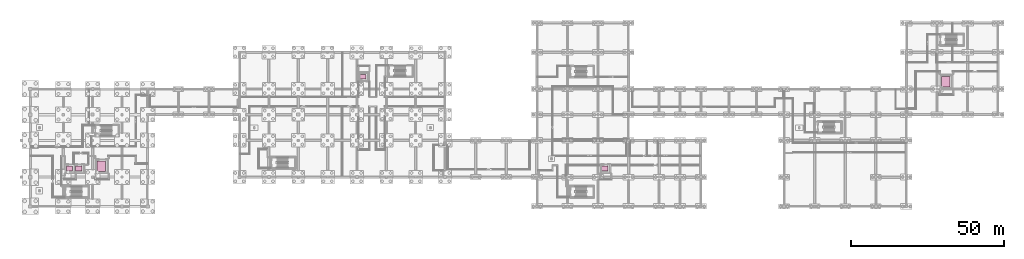
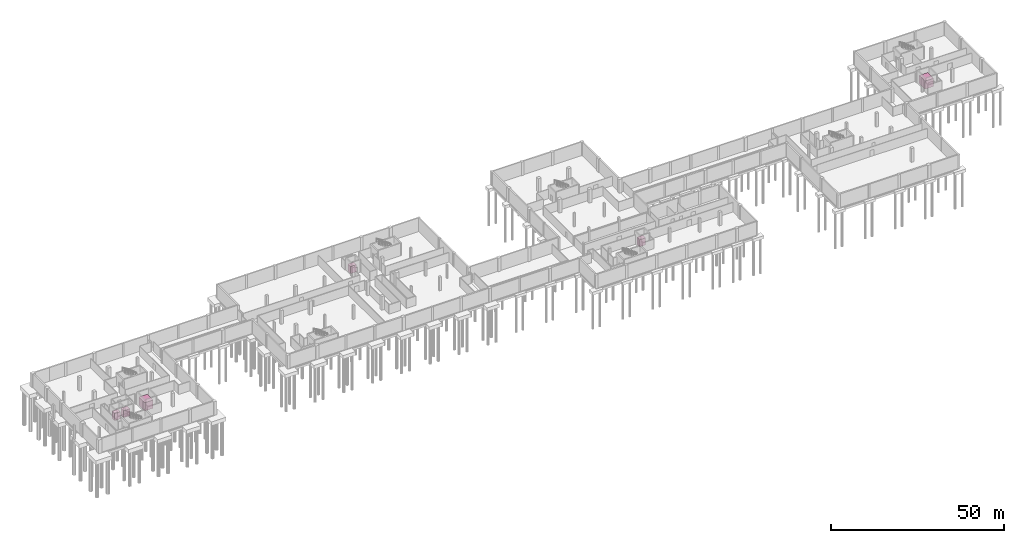
# One storey, part 28 of 28: 6 transport elements.
"""IFC4 building model written with IfcOpenShell, lengths in metres."""

from ifc_helpers import new_model, si_unit, direction, frame, origin, origin_2d, place, context, subcontext, project, spatial, rectangle, extrude, material, type_object, element, save


model = new_model("IFC4")

# Units and contexts
model_context = context("Model", 3, precision=1e-05, world=origin(), true_north=direction((0.0, 1.0)))
body_context = subcontext(model_context, "Body", "Model", "MODEL_VIEW")
ifc_project = project(units=[si_unit("LENGTHUNIT", "METRE"), si_unit("AREAUNIT", "SQUARE_METRE"), si_unit("VOLUMEUNIT", "CUBIC_METRE"), si_unit("PLANEANGLEUNIT", "RADIAN"), si_unit("MASSUNIT", "GRAM", prefix="KILO")], contexts=[model_context])

# Site, building, storey
site_placement = place(None, origin())
site = spatial("IfcSite", under=ifc_project, at=site_placement, CompositionType="ELEMENT")
building_placement = place(site_placement, origin())
building = spatial("IfcBuilding", under=site, at=building_placement, Name="Zereglee Splitstone Museum", CompositionType="ELEMENT")
storey_placement = place(building_placement, frame((0.0, 0.0, -4.800048828125)))
storey = spatial("IfcBuildingStorey", under=building, at=storey_placement, Name="B1", CompositionType="ELEMENT", Elevation=-4.800048828125)

# Transport elements
ifc_material_1 = material(Name="Fire-rated stainless steel S355J2 cab", Category="steel")
transport_element_type_1 = type_object("IfcTransportElementType", Name="LIFT FIREFIGHTING FL-01", PredefinedType="ELEVATOR", material=ifc_material_1)
transport_element_1_placement = place(storey_placement, frame((25.449951171875, 12.39990234375, 0.0), z_axis=(0.0, 0.0, 1.0), x_axis=(1.0, 0.0, 0.0)))
element("IfcTransportElement", 1, at=transport_element_1_placement, inside=storey, type_object=transport_element_type_1, Name="Firefighting Lift FL-01", PredefinedType="ELEVATOR", context=body_context, shape_type="SweptSolid", body=[
    extrude(rectangle(XDim=2.10009765625, YDim=1.64990234375, at=origin_2d()), origin(), (0.0, 0.0, 1.0), 2.449951171875),
])
ifc_material_2 = material(Name="Brushed bronze and structural steel S355J2 cab", Category="steel")
transport_element_type_2 = type_object("IfcTransportElementType", Name="LIFT GOODS FREIGHT GL-01", PredefinedType="ELEVATOR", material=ifc_material_2)
transport_element_2_placement = place(storey_placement, frame((308.800048828125, 40.800048828125, 0.0), z_axis=(0.0, 0.0, 1.0), x_axis=(1.0, 0.0, 0.0)))
element("IfcTransportElement", 2, at=transport_element_2_placement, inside=storey, type_object=transport_element_type_2, Name="Goods and Specimen Freight Lift GL-01", PredefinedType="ELEVATOR", context=body_context, shape_type="SweptSolid", body=[
    extrude(rectangle(XDim=2.800048828125, YDim=3.39990234375, at=origin_2d()), origin(), (0.0, 0.0, 1.0), 2.85009765625),
])
transport_element_type_3 = type_object("IfcTransportElementType", Name="LIFT GOODS FREIGHT GL-02", PredefinedType="ELEVATOR", material=ifc_material_2)
transport_element_3_placement = place(storey_placement, frame((32.800048828125, 13.199951171875, 0.0), z_axis=(0.0, 0.0, 1.0), x_axis=(1.0, 0.0, 0.0)))
element("IfcTransportElement", 3, at=transport_element_3_placement, inside=storey, type_object=transport_element_type_3, Name="Goods and Sculpture Freight Lift GL-02", PredefinedType="ELEVATOR", context=body_context, shape_type="SweptSolid", body=[
    extrude(rectangle(XDim=2.800048828125, YDim=3.39990234375, at=origin_2d()), origin(), (0.0, 0.0, 1.0), 2.85009765625),
])
transport_element_type_4 = type_object("IfcTransportElementType", Name="LIFT PASSENGER PL-01", PredefinedType="ELEVATOR", material=ifc_material_2)
transport_element_4_placement = place(storey_placement, frame((22.39990234375, 12.39990234375, 0.0), z_axis=(0.0, 0.0, 1.0), x_axis=(1.0, 0.0, 0.0)))
element("IfcTransportElement", 4, at=transport_element_4_placement, inside=storey, type_object=transport_element_type_4, Name="Passenger Lift PL-01", PredefinedType="ELEVATOR", context=body_context, shape_type="SweptSolid", body=[
    extrude(rectangle(XDim=2.0, YDim=1.60009765625, at=origin_2d()), origin(), (0.0, 0.0, 1.0), 2.449951171875),
])
transport_element_type_5 = type_object("IfcTransportElementType", Name="LIFT PASSENGER PL-02", PredefinedType="ELEVATOR", material=ifc_material_2)
transport_element_5_placement = place(storey_placement, frame((118.39990234375, 42.39990234375, 0.0), z_axis=(0.0, 0.0, 1.0), x_axis=(1.0, 0.0, 0.0)))
element("IfcTransportElement", 5, at=transport_element_5_placement, inside=storey, type_object=transport_element_type_5, Name="Passenger Lift PL-02", PredefinedType="ELEVATOR", context=body_context, shape_type="SweptSolid", body=[
    extrude(rectangle(XDim=2.0, YDim=1.60009765625, at=origin_2d()), origin(), (0.0, 0.0, 1.0), 2.449951171875),
])
transport_element_type_6 = type_object("IfcTransportElementType", Name="LIFT PASSENGER PL-03", PredefinedType="ELEVATOR", material=ifc_material_2)
transport_element_6_placement = place(storey_placement, frame((197.39990234375, 12.39990234375, 0.0), z_axis=(0.0, 0.0, 1.0), x_axis=(1.0, 0.0, 0.0)))
element("IfcTransportElement", 6, at=transport_element_6_placement, inside=storey, type_object=transport_element_type_6, Name="Passenger Lift PL-03", PredefinedType="ELEVATOR", context=body_context, shape_type="SweptSolid", body=[
    extrude(rectangle(XDim=2.0, YDim=1.60009765625, at=origin_2d()), origin(), (0.0, 0.0, 1.0), 2.449951171875),
])

save(model, "model.ifc")
